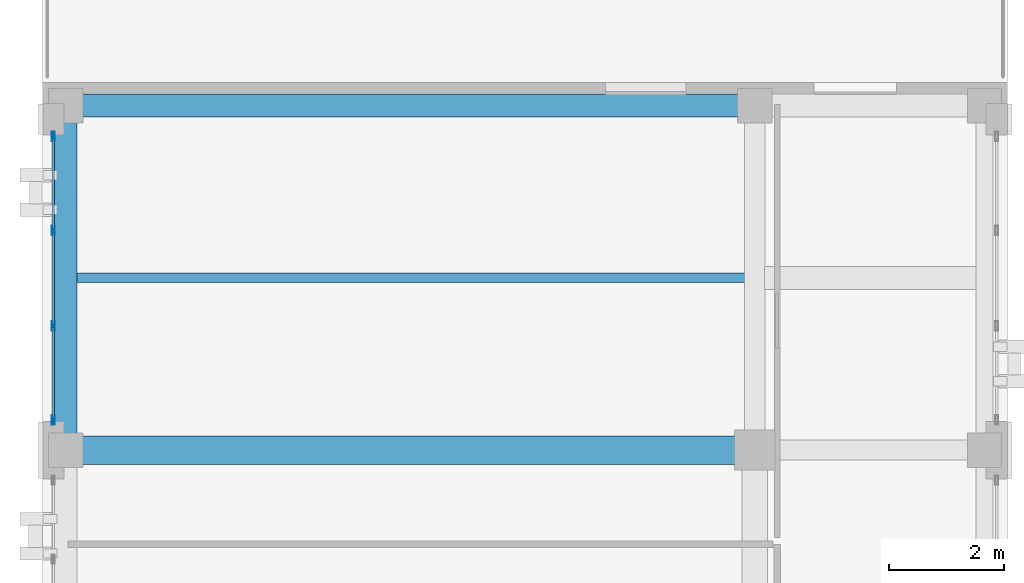
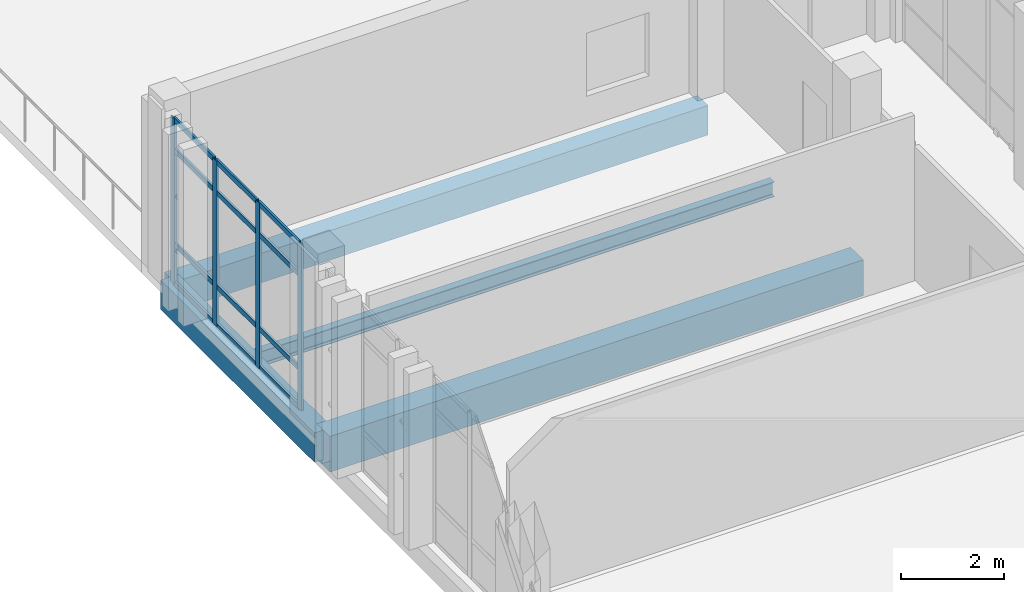
# One storey, part 17 of 77: 16 members, 4 beams, 1 element without a shape of its own.
"""IFC4 building model written with IfcOpenShell, lengths in metres."""

from ifc_helpers import new_model, si_unit, direction, frame, origin, origin_2d, place, context, subcontext, project, spatial, rectangle, hollow_rectangle, i_section, extrude, material, layer, layer_set, material_profile, profile_set, type_object, element, aggregate, save


model = new_model("IFC4")

# Units and contexts
model_context = context("Model", 3, precision=1e-05, world=origin(), true_north=direction((0.0, 1.0)))
body_context = subcontext(model_context, "Body", "Model", "MODEL_VIEW")
ifc_project = project(units=[si_unit("LENGTHUNIT", "METRE"), si_unit("AREAUNIT", "SQUARE_METRE"), si_unit("VOLUMEUNIT", "CUBIC_METRE"), si_unit("PLANEANGLEUNIT", "RADIAN"), si_unit("MASSUNIT", "GRAM", prefix="KILO")], contexts=[model_context])

# Site, building, storey
site_placement = place(None, origin())
site = spatial("IfcSite", under=ifc_project, at=site_placement, CompositionType="ELEMENT")
building_placement = place(site_placement, origin())
building = spatial("IfcBuilding", under=site, at=building_placement, Name="Qalavern Law Courts", CompositionType="ELEMENT")
storey_placement = place(building_placement, frame((0.0, 0.0, 27.0)))
storey = spatial("IfcBuildingStorey", under=building, at=storey_placement, Name="L06", CompositionType="ELEMENT", Elevation=27.0)

# Curtain wall, members
ifc_material_1 = material(Name="Anodised aluminium and insulated glazing", Category="aluminium")
ifc_layer = layer(ifc_material_1, 0.159912109375)
ifc_layer_set = layer_set([ifc_layer], Name="Anodised aluminium and insulated glazing")
curtain_wall_type = type_object("IfcCurtainWallType", Name="ENV-CW-CHAMB", PredefinedType="USERDEFINED", material=ifc_layer_set)
curtain_wall_placement = place(storey_placement, origin())
curtain_wall = element("IfcCurtainWall", 1, at=curtain_wall_placement, inside=storey, type_object=curtain_wall_type, Name="V3 unitised curtain wall L06 west 1", ObjectType="UNITISED CURTAIN WALL", PredefinedType="USERDEFINED")
ifc_material_2 = material(Name="Anodised aluminium", Category="aluminium")
ifc_material_profile_1 = material_profile(ifc_material_2, hollow_rectangle(XDim=0.048095703125, YDim=0.159912109375, WallThickness=0.00390625, at=origin_2d()), Name="ALU MULLION 48x160")
ifc_profile_set_1 = profile_set([ifc_material_profile_1], Name="Anodised aluminium")
member_type_1 = type_object("IfcMemberType", Name="ENV-CWM-48x160", PredefinedType="MULLION", material=ifc_profile_set_1)
member_1_placement = place(storey_placement, frame((2.18505859375, 78.861083984375, 0.0), z_axis=(0.0, 0.0, 1.0), x_axis=(1.0, 0.0, 0.0)))
member_1 = element("IfcMember", 2, at=member_1_placement, type_object=member_type_1, Name="CW-04 mullion 1", PredefinedType="MULLION", context=body_context, shape_type="SweptSolid", body=[
    extrude(hollow_rectangle(XDim=0.048095703125, YDim=0.159912109375, WallThickness=0.00390625, at=origin_2d()), origin(), (0.0, 0.0, 1.0), 3.93505859375),
])
member_2_placement = place(storey_placement, frame((2.18505859375, 77.223388671875, 0.0), z_axis=(0.0, 0.0, 1.0), x_axis=(1.0, 0.0, 0.0)))
member_2 = element("IfcMember", 3, at=member_2_placement, type_object=member_type_1, Name="CW-04 mullion 2", PredefinedType="MULLION", context=body_context, shape_type="SweptSolid", body=[
    extrude(hollow_rectangle(XDim=0.048095703125, YDim=0.159912109375, WallThickness=0.00390625, at=origin_2d()), origin(), (0.0, 0.0, 1.0), 3.93505859375),
])
member_3_placement = place(storey_placement, frame((2.18505859375, 75.561767578125, 0.0), z_axis=(0.0, 0.0, 1.0), x_axis=(1.0, 0.0, 0.0)))
member_3 = element("IfcMember", 4, at=member_3_placement, type_object=member_type_1, Name="CW-04 mullion 3", PredefinedType="MULLION", context=body_context, shape_type="SweptSolid", body=[
    extrude(hollow_rectangle(XDim=0.048095703125, YDim=0.159912109375, WallThickness=0.00390625, at=origin_2d()), origin(), (0.0, 0.0, 1.0), 3.93505859375),
])
member_4_placement = place(storey_placement, frame((2.18505859375, 73.924072265625, 0.0), z_axis=(0.0, 0.0, 1.0), x_axis=(1.0, 0.0, 0.0)))
member_4 = element("IfcMember", 5, at=member_4_placement, type_object=member_type_1, Name="CW-04 mullion 4", PredefinedType="MULLION", context=body_context, shape_type="SweptSolid", body=[
    extrude(hollow_rectangle(XDim=0.048095703125, YDim=0.159912109375, WallThickness=0.00390625, at=origin_2d()), origin(), (0.0, 0.0, 1.0), 3.93505859375),
])
ifc_material_profile_2 = material_profile(ifc_material_2, hollow_rectangle(XDim=0.048095703125, YDim=0.1201171875, WallThickness=0.00390625, at=origin_2d()), Name="ALU TRANSOM 48x120")
ifc_profile_set_2 = profile_set([ifc_material_profile_2], Name="Anodised aluminium")
member_type_2 = type_object("IfcMemberType", Name="ENV-CWT-48x120", PredefinedType="USERDEFINED", material=ifc_profile_set_2)
member_5_placement = place(storey_placement, frame((2.18505859375, 78.8369140625, 0.02392578125), z_axis=(0.0, -1.0, 0.0), x_axis=(1.0, 0.0, 0.0)))
member_5 = element("IfcMember", 6, at=member_5_placement, type_object=member_type_2, Name="CW-04 transom 1.1", ObjectType="TRANSOM", PredefinedType="USERDEFINED", context=body_context, shape_type="SweptSolid", body=[
    extrude(hollow_rectangle(XDim=0.048095703125, YDim=0.1201171875, WallThickness=0.00390625, at=origin_2d()), origin(), (0.0, 0.0, 1.0), 1.589599609375),
])
member_6_placement = place(storey_placement, frame((2.18505859375, 78.8369140625, 0.949951171875), z_axis=(0.0, -1.0, 0.0), x_axis=(1.0, 0.0, 0.0)))
member_6 = element("IfcMember", 7, at=member_6_placement, type_object=member_type_2, Name="CW-04 transom 1.2", ObjectType="TRANSOM", PredefinedType="USERDEFINED", context=body_context, shape_type="SweptSolid", body=[
    extrude(hollow_rectangle(XDim=0.048095703125, YDim=0.1201171875, WallThickness=0.00390625, at=origin_2d()), origin(), (0.0, 0.0, 1.0), 1.589599609375),
])
member_7_placement = place(storey_placement, frame((2.18505859375, 78.8369140625, 3.18505859375), z_axis=(0.0, -1.0, 0.0), x_axis=(1.0, 0.0, 0.0)))
member_7 = element("IfcMember", 8, at=member_7_placement, type_object=member_type_2, Name="CW-04 transom 1.3", ObjectType="TRANSOM", PredefinedType="USERDEFINED", context=body_context, shape_type="SweptSolid", body=[
    extrude(hollow_rectangle(XDim=0.048095703125, YDim=0.1201171875, WallThickness=0.00390625, at=origin_2d()), origin(), (0.0, 0.0, 1.0), 1.589599609375),
])
member_8_placement = place(storey_placement, frame((2.18505859375, 78.8369140625, 3.910888671875), z_axis=(0.0, -1.0, 0.0), x_axis=(1.0, 0.0, 0.0)))
member_8 = element("IfcMember", 9, at=member_8_placement, type_object=member_type_2, Name="CW-04 transom 1.4", ObjectType="TRANSOM", PredefinedType="USERDEFINED", context=body_context, shape_type="SweptSolid", body=[
    extrude(hollow_rectangle(XDim=0.048095703125, YDim=0.1201171875, WallThickness=0.00390625, at=origin_2d()), origin(), (0.0, 0.0, 1.0), 1.589599609375),
])
member_9_placement = place(storey_placement, frame((2.18505859375, 77.19921875, 0.02392578125), z_axis=(0.0, -1.0, 0.0), x_axis=(1.0, 0.0, 0.0)))
member_9 = element("IfcMember", 10, at=member_9_placement, type_object=member_type_2, Name="CW-04 transom 2.1", ObjectType="TRANSOM", PredefinedType="USERDEFINED", context=body_context, shape_type="SweptSolid", body=[
    extrude(hollow_rectangle(XDim=0.048095703125, YDim=0.1201171875, WallThickness=0.00390625, at=origin_2d()), origin(), (0.0, 0.0, 1.0), 1.613525390625),
])
member_10_placement = place(storey_placement, frame((2.18505859375, 77.19921875, 0.949951171875), z_axis=(0.0, -1.0, 0.0), x_axis=(1.0, 0.0, 0.0)))
member_10 = element("IfcMember", 11, at=member_10_placement, type_object=member_type_2, Name="CW-04 transom 2.2", ObjectType="TRANSOM", PredefinedType="USERDEFINED", context=body_context, shape_type="SweptSolid", body=[
    extrude(hollow_rectangle(XDim=0.048095703125, YDim=0.1201171875, WallThickness=0.00390625, at=origin_2d()), origin(), (0.0, 0.0, 1.0), 1.613525390625),
])
member_11_placement = place(storey_placement, frame((2.18505859375, 77.19921875, 3.18505859375), z_axis=(0.0, -1.0, 0.0), x_axis=(1.0, 0.0, 0.0)))
member_11 = element("IfcMember", 12, at=member_11_placement, type_object=member_type_2, Name="CW-04 transom 2.3", ObjectType="TRANSOM", PredefinedType="USERDEFINED", context=body_context, shape_type="SweptSolid", body=[
    extrude(hollow_rectangle(XDim=0.048095703125, YDim=0.1201171875, WallThickness=0.00390625, at=origin_2d()), origin(), (0.0, 0.0, 1.0), 1.613525390625),
])
member_12_placement = place(storey_placement, frame((2.18505859375, 77.19921875, 3.910888671875), z_axis=(0.0, -1.0, 0.0), x_axis=(1.0, 0.0, 0.0)))
member_12 = element("IfcMember", 13, at=member_12_placement, type_object=member_type_2, Name="CW-04 transom 2.4", ObjectType="TRANSOM", PredefinedType="USERDEFINED", context=body_context, shape_type="SweptSolid", body=[
    extrude(hollow_rectangle(XDim=0.048095703125, YDim=0.1201171875, WallThickness=0.00390625, at=origin_2d()), origin(), (0.0, 0.0, 1.0), 1.613525390625),
])
member_13_placement = place(storey_placement, frame((2.18505859375, 75.53759765625, 0.02392578125), z_axis=(0.0, -1.0, 0.0), x_axis=(1.0, 0.0, 0.0)))
member_13 = element("IfcMember", 14, at=member_13_placement, type_object=member_type_2, Name="CW-04 transom 3.1", ObjectType="TRANSOM", PredefinedType="USERDEFINED", context=body_context, shape_type="SweptSolid", body=[
    extrude(hollow_rectangle(XDim=0.048095703125, YDim=0.1201171875, WallThickness=0.00390625, at=origin_2d()), origin(), (0.0, 0.0, 1.0), 1.589599609375),
])
member_14_placement = place(storey_placement, frame((2.18505859375, 75.53759765625, 0.949951171875), z_axis=(0.0, -1.0, 0.0), x_axis=(1.0, 0.0, 0.0)))
member_14 = element("IfcMember", 15, at=member_14_placement, type_object=member_type_2, Name="CW-04 transom 3.2", ObjectType="TRANSOM", PredefinedType="USERDEFINED", context=body_context, shape_type="SweptSolid", body=[
    extrude(hollow_rectangle(XDim=0.048095703125, YDim=0.1201171875, WallThickness=0.00390625, at=origin_2d()), origin(), (0.0, 0.0, 1.0), 1.589599609375),
])
member_15_placement = place(storey_placement, frame((2.18505859375, 75.53759765625, 3.18505859375), z_axis=(0.0, -1.0, 0.0), x_axis=(1.0, 0.0, 0.0)))
member_15 = element("IfcMember", 16, at=member_15_placement, type_object=member_type_2, Name="CW-04 transom 3.3", ObjectType="TRANSOM", PredefinedType="USERDEFINED", context=body_context, shape_type="SweptSolid", body=[
    extrude(hollow_rectangle(XDim=0.048095703125, YDim=0.1201171875, WallThickness=0.00390625, at=origin_2d()), origin(), (0.0, 0.0, 1.0), 1.589599609375),
])
member_16_placement = place(storey_placement, frame((2.18505859375, 75.53759765625, 3.910888671875), z_axis=(0.0, -1.0, 0.0), x_axis=(1.0, 0.0, 0.0)))
member_16 = element("IfcMember", 17, at=member_16_placement, type_object=member_type_2, Name="CW-04 transom 3.4", ObjectType="TRANSOM", PredefinedType="USERDEFINED", context=body_context, shape_type="SweptSolid", body=[
    extrude(hollow_rectangle(XDim=0.048095703125, YDim=0.1201171875, WallThickness=0.00390625, at=origin_2d()), origin(), (0.0, 0.0, 1.0), 1.589599609375),
])
aggregate(curtain_wall, [member_1, member_2, member_3, member_4, member_5, member_6, member_7, member_8, member_9, member_10, member_11, member_12, member_13, member_14, member_15, member_16])

# Beams
ifc_material_3 = material(Name="Concrete C40/50", Category="concrete")
ifc_material_profile_3 = material_profile(ifc_material_3, rectangle(XDim=0.5, YDim=0.85009765625, at=origin_2d()), Name="RC 500x850")
ifc_profile_set_3 = profile_set([ifc_material_profile_3], Name="Concrete C40/50")
beam_type_1 = type_object("IfcBeamType", Name="STR-BM-RC500x850", PredefinedType="BEAM", material=ifc_profile_set_3)
beam_1_placement = place(storey_placement, frame((2.39990234375, 73.39990234375, -0.695068359375), z_axis=(1.0, 0.0, 0.0), x_axis=(0.0, 1.0, 0.0)))
element("IfcBeam", 18, at=beam_1_placement, inside=storey, type_object=beam_type_1, Name="V3 X-beam 5-1 L06", PredefinedType="BEAM", context=body_context, shape_type="SweptSolid", body=[
    extrude(rectangle(XDim=0.5, YDim=0.85009765625, at=origin_2d()), origin(), (0.0, 0.0, 1.0), 12.0),
])
ifc_material_4 = material(Name="Steel S355", Category="steel")
ifc_material_profile_4 = material_profile(ifc_material_4, i_section(OverallWidth=0.169921875, OverallDepth=0.360107421875, WebThickness=0.008056640625, FlangeThickness=0.0126953125, FilletRadius=0.01806640625, at=origin_2d()), Name="IPE 360")
ifc_profile_set_4 = profile_set([ifc_material_profile_4], Name="Steel S355")
beam_type_2 = type_object("IfcBeamType", Name="STR-JST-IPE360", PredefinedType="JOIST", material=ifc_profile_set_4)
beam_2_placement = place(storey_placement, frame((2.597900390625, 76.39990234375, -0.449951171875), z_axis=(1.0, 0.0, 0.0), x_axis=(0.0, 1.0, 0.0)))
element("IfcBeam", 19, at=beam_2_placement, inside=storey, type_object=beam_type_2, Name="V3 secondary joist 1.5.1 L06", PredefinedType="JOIST", context=body_context, shape_type="SweptSolid", body=[
    extrude(i_section(OverallWidth=0.169921875, OverallDepth=0.360107421875, WebThickness=0.008056640625, FlangeThickness=0.0126953125, FilletRadius=0.01806640625, at=origin_2d()), origin(), (0.0, 0.0, 1.0), 11.629150390625),
])
ifc_material_profile_5 = material_profile(ifc_material_3, rectangle(XDim=0.39990234375, YDim=0.699951171875, at=origin_2d()), Name="RC 400x700")
ifc_profile_set_5 = profile_set([ifc_material_profile_5], Name="Concrete C40/50")
beam_type_3 = type_object("IfcBeamType", Name="STR-SP-RC400x700", PredefinedType="SPANDREL", material=ifc_profile_set_5)
beam_3_placement = place(storey_placement, frame((2.39990234375, 79.39990234375, -0.6201171875), z_axis=(1.0, 0.0, 0.0), x_axis=(0.0, 1.0, 0.0)))
element("IfcBeam", 20, at=beam_3_placement, inside=storey, type_object=beam_type_3, Name="V3 X-beam 6-1 L06", PredefinedType="SPANDREL", context=body_context, shape_type="SweptSolid", body=[
    extrude(rectangle(XDim=0.39990234375, YDim=0.699951171875, at=origin_2d()), origin(), (0.0, 0.0, 1.0), 12.0),
])
beam_4_placement = place(storey_placement, frame((2.39990234375, 73.39990234375, -0.6201171875), z_axis=(0.0, 1.0, 0.0), x_axis=(-1.0, 0.0, 0.0)))
element("IfcBeam", 21, at=beam_4_placement, inside=storey, type_object=beam_type_3, Name="V3 Y-beam 1-5 L06", PredefinedType="SPANDREL", context=body_context, shape_type="SweptSolid", body=[
    extrude(rectangle(XDim=0.39990234375, YDim=0.699951171875, at=origin_2d()), origin(), (0.0, 0.0, 1.0), 6.0),
])

save(model, "model.ifc")
